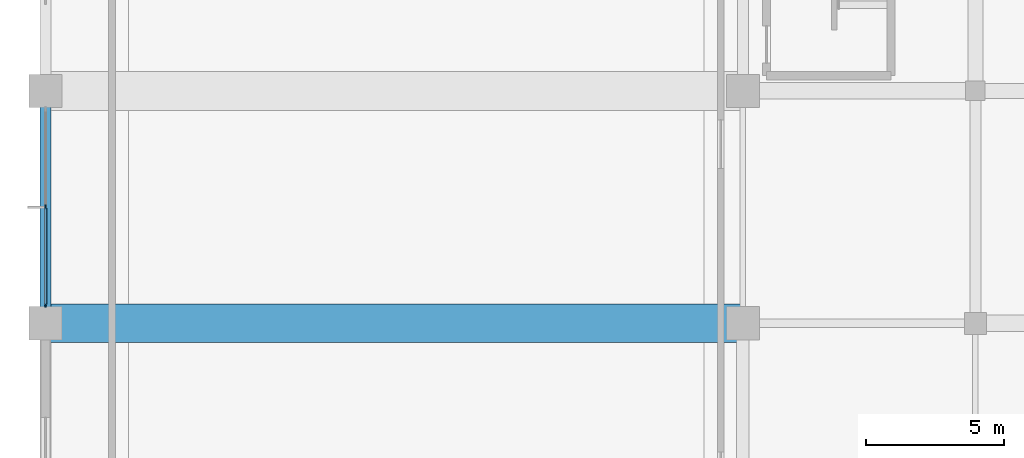
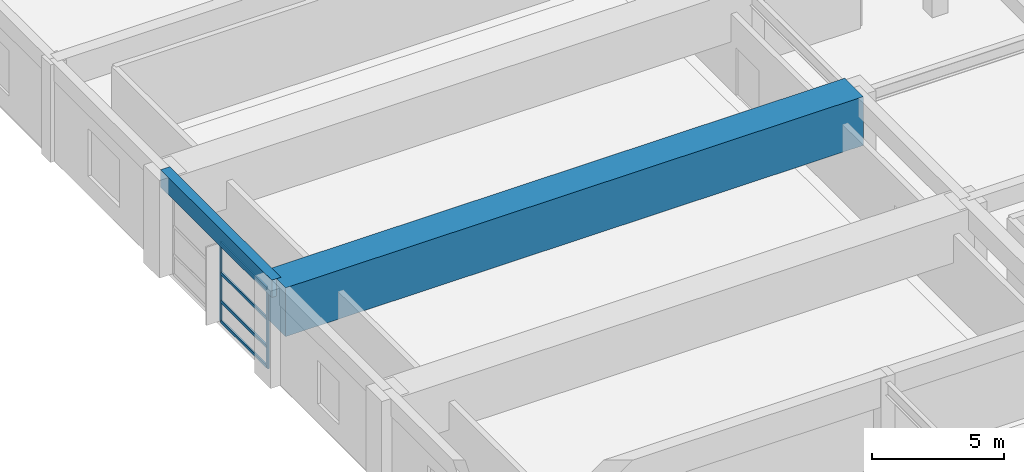
# One storey, part 16 of 62: 6 members, 2 beams, 1 element without a shape of its own.
"""IFC4 building model written with IfcOpenShell, lengths in metres."""

from ifc_helpers import new_model, si_unit, direction, frame, origin, origin_2d, place, context, subcontext, project, spatial, rectangle, extrude, material, material_profile, profile_set, type_object, element, aggregate, save


model = new_model("IFC4")

# Units and contexts
model_context = context("Model", 3, precision=1e-05, world=origin(), true_north=direction((0.0, 1.0)))
body_context = subcontext(model_context, "Body", "Model", "MODEL_VIEW")
ifc_project = project(units=[si_unit("LENGTHUNIT", "METRE"), si_unit("AREAUNIT", "SQUARE_METRE"), si_unit("VOLUMEUNIT", "CUBIC_METRE"), si_unit("PLANEANGLEUNIT", "RADIAN"), si_unit("MASSUNIT", "GRAM", prefix="KILO")], contexts=[model_context])

# Site, building, storey
site_placement = place(None, origin())
site = spatial("IfcSite", under=ifc_project, at=site_placement, CompositionType="ELEMENT")
building_placement = place(site_placement, origin())
building = spatial("IfcBuilding", under=site, at=building_placement, Name="Xuanlan Plaza Opera House", CompositionType="ELEMENT")
storey_placement = place(building_placement, frame((0.0, 0.0, 14.39990234375)))
storey = spatial("IfcBuildingStorey", under=building, at=storey_placement, Name="L03", CompositionType="ELEMENT", Elevation=14.39990234375)

# Curtain wall, members
ifc_material_1 = material(Name="Anodised Aluminium 6063-T6 and Low-E Glass", Category="aluminium")
curtain_wall_type = type_object("IfcCurtainWallType", Name="ENV-CW-CW-04", PredefinedType="USERDEFINED", material=ifc_material_1)
curtain_wall_placement = place(storey_placement, origin())
curtain_wall = element("IfcCurtainWall", 1, at=curtain_wall_placement, inside=storey, type_object=curtain_wall_type, Name="Unitised Curtain Wall L03-051", ObjectType="UNITISED CURTAIN WALL", PredefinedType="USERDEFINED")
ifc_material_2 = material(Name="Anodised Aluminium 6063-T6", Category="aluminium")
ifc_material_profile_1 = material_profile(ifc_material_2, rectangle(XDim=0.06494140625, YDim=0.159912109375, at=origin_2d()), Name="ALU-M 65x160")
ifc_profile_set_1 = profile_set([ifc_material_profile_1], Name="Anodised Aluminium 6063-T6")
member_type_1 = type_object("IfcMemberType", Name="ENV-CWM-01", PredefinedType="MULLION", material=ifc_profile_set_1)
member_1_placement = place(storey_placement, frame((0.0, 63.0, 0.0), z_axis=(0.0, 0.0, 1.0), x_axis=(1.0, 0.0, 0.0)))
member_1 = element("IfcMember", 2, at=member_1_placement, type_object=member_type_1, Name="CW-04 mullion 2", PredefinedType="MULLION", context=body_context, shape_type="SweptSolid", body=[
    extrude(rectangle(XDim=0.06494140625, YDim=0.159912109375, at=origin_2d()), origin(), (0.0, 0.0, 1.0), 3.68017578125),
])
member_2_placement = place(storey_placement, frame((0.0, 59.452392578125, 0.0), z_axis=(0.0, 0.0, 1.0), x_axis=(1.0, 0.0, 0.0)))
member_2 = element("IfcMember", 3, at=member_2_placement, type_object=member_type_1, Name="CW-04 mullion 3", PredefinedType="MULLION", context=body_context, shape_type="SweptSolid", body=[
    extrude(rectangle(XDim=0.06494140625, YDim=0.159912109375, at=origin_2d()), origin(), (0.0, 0.0, 1.0), 3.68017578125),
])
ifc_material_profile_2 = material_profile(ifc_material_2, rectangle(XDim=0.070068359375, YDim=0.135009765625, at=origin_2d()), Name="ALU-T 70x135")
ifc_profile_set_2 = profile_set([ifc_material_profile_2], Name="Anodised Aluminium 6063-T6")
member_type_2 = type_object("IfcMemberType", Name="ENV-CWT-02", PredefinedType="USERDEFINED", material=ifc_profile_set_2)
member_3_placement = place(storey_placement, frame((0.0, 62.967529296875, 0.03515625), z_axis=(0.0, -1.0, 0.0), x_axis=(1.0, 0.0, 0.0)))
member_3 = element("IfcMember", 4, at=member_3_placement, type_object=member_type_2, Name="CW-04 transom 2.1", ObjectType="TRANSOM", PredefinedType="USERDEFINED", context=body_context, shape_type="SweptSolid", body=[
    extrude(rectangle(XDim=0.070068359375, YDim=0.135009765625, at=origin_2d()), origin(), (0.0, 0.0, 1.0), 3.482421875),
])
member_4_placement = place(storey_placement, frame((0.0, 62.967529296875, 0.9501953125), z_axis=(0.0, -1.0, 0.0), x_axis=(1.0, 0.0, 0.0)))
member_4 = element("IfcMember", 5, at=member_4_placement, type_object=member_type_2, Name="CW-04 transom 2.2", ObjectType="TRANSOM", PredefinedType="USERDEFINED", context=body_context, shape_type="SweptSolid", body=[
    extrude(rectangle(XDim=0.070068359375, YDim=0.135009765625, at=origin_2d()), origin(), (0.0, 0.0, 1.0), 3.482421875),
])
member_5_placement = place(storey_placement, frame((0.0, 62.967529296875, 2.25), z_axis=(0.0, -1.0, 0.0), x_axis=(1.0, 0.0, 0.0)))
member_5 = element("IfcMember", 6, at=member_5_placement, type_object=member_type_2, Name="CW-04 transom 2.3", ObjectType="TRANSOM", PredefinedType="USERDEFINED", context=body_context, shape_type="SweptSolid", body=[
    extrude(rectangle(XDim=0.070068359375, YDim=0.135009765625, at=origin_2d()), origin(), (0.0, 0.0, 1.0), 3.482421875),
])
member_6_placement = place(storey_placement, frame((0.0, 62.967529296875, 3.64501953125), z_axis=(0.0, -1.0, 0.0), x_axis=(1.0, 0.0, 0.0)))
member_6 = element("IfcMember", 7, at=member_6_placement, type_object=member_type_2, Name="CW-04 transom 2.4", ObjectType="TRANSOM", PredefinedType="USERDEFINED", context=body_context, shape_type="SweptSolid", body=[
    extrude(rectangle(XDim=0.070068359375, YDim=0.135009765625, at=origin_2d()), origin(), (0.0, 0.0, 1.0), 3.482421875),
])
aggregate(curtain_wall, [member_1, member_2, member_3, member_4, member_5, member_6])

# Beams
ifc_material_3 = material(Name="Concrete C40", Category="concrete")
ifc_material_profile_3 = material_profile(ifc_material_3, rectangle(XDim=0.39990234375, YDim=0.800048828125, at=origin_2d()), Name="RC-SPD 400x800")
ifc_profile_set_3 = profile_set([ifc_material_profile_3], Name="Concrete C40")
beam_type_1 = type_object("IfcBeamType", Name="STR-BM-SP-01", PredefinedType="SPANDREL", material=ifc_profile_set_3)
beam_1_placement = place(storey_placement, frame((0.0, 58.800048828125, 4.10009765625), z_axis=(0.0, 1.0, 0.0), x_axis=(-1.0, 0.0, 0.0)))
element("IfcBeam", 8, at=beam_1_placement, inside=storey, type_object=beam_type_1, Name="Grid Beam Y L03 1/H-I", PredefinedType="SPANDREL", context=body_context, shape_type="SweptSolid", body=[
    extrude(rectangle(XDim=0.39990234375, YDim=0.800048828125, at=origin_2d()), origin(), (0.0, 0.0, 1.0), 8.39990234375),
])
ifc_material_4 = material(Name="Concrete C60", Category="concrete")
ifc_material_profile_4 = material_profile(ifc_material_4, rectangle(XDim=1.39990234375, YDim=2.25, at=origin_2d()), Name="RC-TG 1400x2250")
ifc_profile_set_4 = profile_set([ifc_material_profile_4], Name="Concrete C60")
beam_type_2 = type_object("IfcBeamType", Name="STR-BM-TG-04", PredefinedType="BEAM", material=ifc_profile_set_4)
beam_2_placement = place(storey_placement, frame((0.0, 58.800048828125, 3.375), z_axis=(1.0, 0.0, 0.0), x_axis=(0.0, 1.0, 0.0)))
element("IfcBeam", 9, at=beam_2_placement, inside=storey, type_object=beam_type_2, Name="Grid Beam X L03 1-4/H", PredefinedType="BEAM", context=body_context, shape_type="SweptSolid", body=[
    extrude(rectangle(XDim=1.39990234375, YDim=2.25, at=origin_2d()), origin(), (0.0, 0.0, 1.0), 25.199951171875),
])

save(model, "model.ifc")
